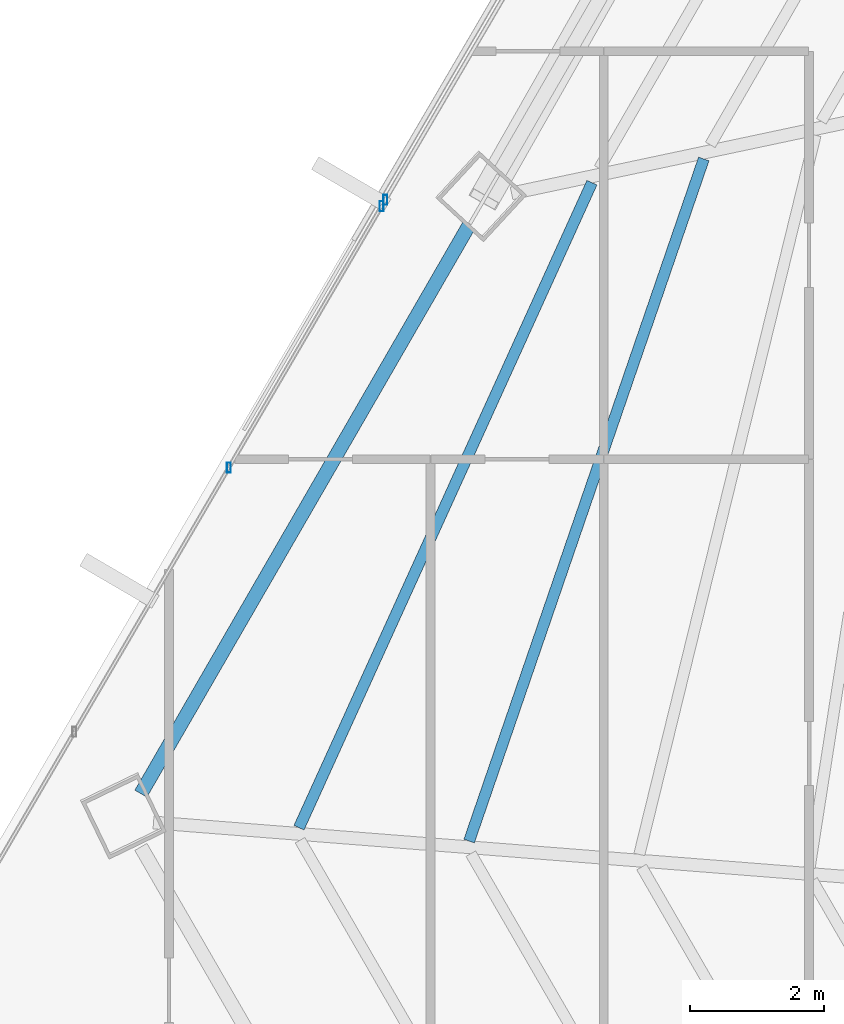
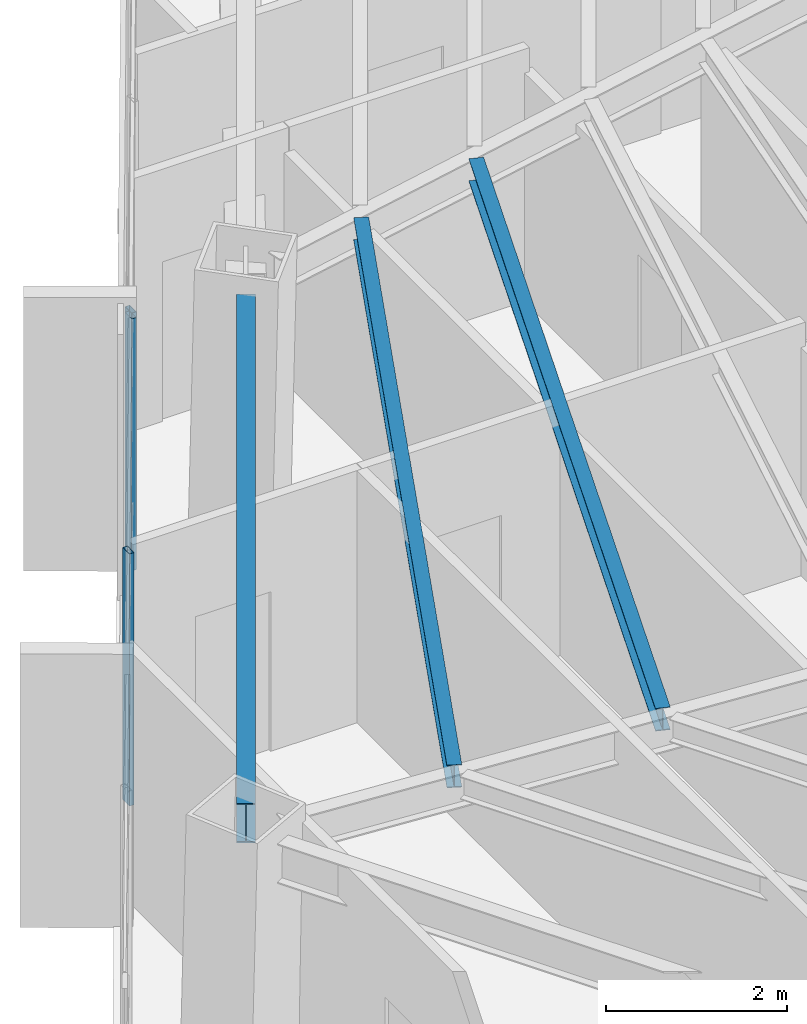
# One storey, part 12 of 42: 3 beams, 3 members, 2 elements without a shape of their own.
"""IFC4 building model written with IfcOpenShell, lengths in metres."""

from ifc_helpers import new_model, si_unit, direction, frame, origin, origin_2d, place, context, subcontext, project, spatial, hollow_rectangle, i_section, extrude, source, transform, mapped, material, material_profile, profile_set, type_object, type_shapes, element, aggregate, save


model = new_model("IFC4")

# Units and contexts
model_context = context("Model", 3, precision=1e-05, world=origin(), true_north=direction((0.0, 1.0)))
body_context = subcontext(model_context, "Body", "Model", "MODEL_VIEW")
ifc_project = project(units=[si_unit("LENGTHUNIT", "METRE"), si_unit("AREAUNIT", "SQUARE_METRE"), si_unit("VOLUMEUNIT", "CUBIC_METRE"), si_unit("PLANEANGLEUNIT", "RADIAN"), si_unit("MASSUNIT", "GRAM", prefix="KILO")], contexts=[model_context])

# Site, building, storey
site_placement = place(None, origin())
site = spatial("IfcSite", under=ifc_project, at=site_placement, CompositionType="ELEMENT")
building_placement = place(site_placement, origin())
building = spatial("IfcBuilding", under=site, at=building_placement, Name="Caelisora Broadcast Tower", CompositionType="ELEMENT")
storey_placement = place(building_placement, frame((0.0, 0.0, 131.800048828125)))
storey = spatial("IfcBuildingStorey", under=building, at=storey_placement, Name="L34", CompositionType="ELEMENT", Elevation=131.800048828125)

# Beams
ifc_material_1 = material(Name="Steel Grade 350 (AS/NZS 3679.1)", Category="steel")
ifc_material_profile_1 = material_profile(ifc_material_1, i_section(OverallWidth=0.208984375, OverallDepth=0.532958984375, WebThickness=0.01025390625, FlangeThickness=0.015625, at=origin_2d()), Name="Steel Grade 350 (AS/NZS 3679.1)")
ifc_profile_set_1 = profile_set([ifc_material_profile_1], Name="Steel Grade 350 (AS/NZS 3679.1)")
beam_type_1 = type_object("IfcBeamType", Name="PG05", PredefinedType="BEAM", material=ifc_profile_set_1)
shared_shape_1 = source(origin(), body_context, "Body", "SweptSolid", [
    extrude(i_section(OverallWidth=0.208984375, OverallDepth=0.532958984375, WebThickness=0.01025390625, FlangeThickness=0.015625, at=origin_2d()), origin(), (0.0, 0.0, 1.0), 9.80322265625),
])
type_shapes(beam_type_1, [shared_shape_1])
beam_1_placement = place(storey_placement, frame((20.3115234375, 27.490234375, 3.133544921875), z_axis=(-0.500004141693, -0.866023012564, 0.0), x_axis=(0.866023012564, -0.500004141693, 0.0)))
element("IfcBeam", 1, at=beam_1_placement, inside=storey, type_object=beam_type_1, Name="L34 beam PG05", PredefinedType="BEAM", context=body_context, shape_type="MappedRepresentation", body=[
    mapped(shared_shape_1, transform((0.0, 0.0, 0.0), scale=1.0)),
])
ifc_material_profile_2 = material_profile(ifc_material_1, i_section(OverallWidth=0.166015625, OverallDepth=0.30712890625, WebThickness=0.006591796875, FlangeThickness=0.01171875, at=origin_2d()), Name="Steel Grade 350 (AS/NZS 3679.1)")
ifc_profile_set_2 = profile_set([ifc_material_profile_2], Name="Steel Grade 350 (AS/NZS 3679.1)")
beam_type_2 = type_object("IfcBeamType", Name="SB03", PredefinedType="JOIST", material=ifc_profile_set_2)
shared_shape_2 = source(origin(), body_context, "Body", "SweptSolid", [
    extrude(i_section(OverallWidth=0.166015625, OverallDepth=0.30712890625, WebThickness=0.006591796875, FlangeThickness=0.01171875, at=origin_2d()), origin(), (0.0, 0.0, 1.0), 10.78466796875),
])
beam_2_placement = place(storey_placement, frame((23.82568359375, 28.489990234375, 3.246337890625), z_axis=(-0.325279683883, -0.945617854767, 0.0), x_axis=(0.945617854767, -0.325279683883, 0.0)))
element("IfcBeam", 2, at=beam_2_placement, inside=storey, type_object=beam_type_2, Name="L34 beam SB03", PredefinedType="JOIST", context=body_context, shape_type="MappedRepresentation", body=[
    mapped(shared_shape_2, transform((0.0, 0.0, 0.0), scale=1.0)),
])
shared_shape_3 = source(origin(), body_context, "Body", "SweptSolid", [
    extrude(i_section(OverallWidth=0.166015625, OverallDepth=0.30712890625, WebThickness=0.006591796875, FlangeThickness=0.01171875, at=origin_2d()), origin(), (0.0, 0.0, 1.0), 10.591796875),
])
type_shapes(beam_type_2, [shared_shape_2, shared_shape_3])
beam_3_placement = place(storey_placement, frame((22.153564453125, 28.13525390625, 3.246337890625), z_axis=(-0.41349726921, -0.910505358774, 0.0), x_axis=(0.910505358774, -0.41349726921, 0.0)))
element("IfcBeam", 3, at=beam_3_placement, inside=storey, type_object=beam_type_2, Name="L34 beam SB03", PredefinedType="JOIST", context=body_context, shape_type="MappedRepresentation", body=[
    mapped(shared_shape_3, transform((0.0, 0.0, 0.0), scale=1.0)),
])

# Curtain wall, members
ifc_material_2 = material(Name="Unitised Aluminium and Low-E Glass Curtain Wall", Category="glass")
curtain_wall_type_1 = type_object("IfcCurtainWallType", Name="CW-Z3", PredefinedType="NOTDEFINED", material=ifc_material_2)
curtain_wall_1_placement = place(storey_placement, origin())
curtain_wall_1 = element("IfcCurtainWall", 4, at=curtain_wall_1_placement, inside=storey, type_object=curtain_wall_type_1, Name="L34 curtain wall CW-Z3", PredefinedType="NOTDEFINED")
ifc_material_3 = material(Name="Aluminium 6063-T6 Anodised Terracotta Bronze", Category="aluminium")
ifc_material_profile_3 = material_profile(ifc_material_3, hollow_rectangle(XDim=0.06005859375, YDim=0.14990234375, WallThickness=0.00341796875, at=origin_2d()), Name="Aluminium 6063-T6 Anodised Terracotta Bronze")
ifc_profile_set_3 = profile_set([ifc_material_profile_3], Name="Aluminium 6063-T6 Anodised Terracotta Bronze")
member_type = type_object("IfcMemberType", Name="CWM-03", PredefinedType="MULLION", material=ifc_profile_set_3)
shared_shape_4 = source(origin(), body_context, "Body", "SweptSolid", [
    extrude(hollow_rectangle(XDim=0.06005859375, YDim=0.14990234375, WallThickness=0.00341796875, at=origin_2d()), origin(), (0.0, 0.0, 1.0), 3.39990234375),
])
type_shapes(member_type, [shared_shape_4])
member_1_placement = place(storey_placement, frame((16.725830078125, 23.875244140625, 0.0), z_axis=(0.0, 0.0, 1.0), x_axis=(1.0, 0.0, 0.0)))
member_1 = element("IfcMember", 5, at=member_1_placement, type_object=member_type, Name="L34-CW-B09 mullion #2", PredefinedType="MULLION", context=body_context, shape_type="MappedRepresentation", body=[
    mapped(shared_shape_4, transform((0.0, 0.0, 0.0), scale=1.0)),
])
member_2_placement = place(storey_placement, frame((19.009521484375, 27.783203125, 0.0), z_axis=(0.0, 0.0, 1.0), x_axis=(1.0, 0.0, 0.0)))
member_2 = element("IfcMember", 6, at=member_2_placement, type_object=member_type, Name="L34-CW-B09 mullion #3", PredefinedType="MULLION", context=body_context, shape_type="MappedRepresentation", body=[
    mapped(shared_shape_4, transform((0.0, 0.0, 0.0), scale=1.0)),
])
aggregate(curtain_wall_1, [member_1, member_2])

# Curtain wall, member
ifc_material_4 = material(Name="Unitised Aluminium Insulated Shadow-Box Spandrel Curtain Wall", Category="aluminium")
curtain_wall_type_2 = type_object("IfcCurtainWallType", Name="CW-SP2", PredefinedType="NOTDEFINED", material=ifc_material_4)
curtain_wall_2_placement = place(storey_placement, origin())
curtain_wall_2 = element("IfcCurtainWall", 7, at=curtain_wall_2_placement, inside=storey, type_object=curtain_wall_type_2, Name="L34 curtain wall CW-SP2", PredefinedType="NOTDEFINED")
member_3_placement = place(storey_placement, frame((19.065185546875, 27.8779296875, 0.0), z_axis=(0.0, 0.0, 1.0), x_axis=(1.0, 0.0, 0.0)))
member_3 = element("IfcMember", 8, at=member_3_placement, type_object=member_type, Name="L34-CW-B10 mullion #0", PredefinedType="MULLION", context=body_context, shape_type="MappedRepresentation", body=[
    mapped(shared_shape_4, transform((0.0, 0.0, 0.0), scale=1.0)),
])
aggregate(curtain_wall_2, [member_3])

save(model, "model.ifc")
